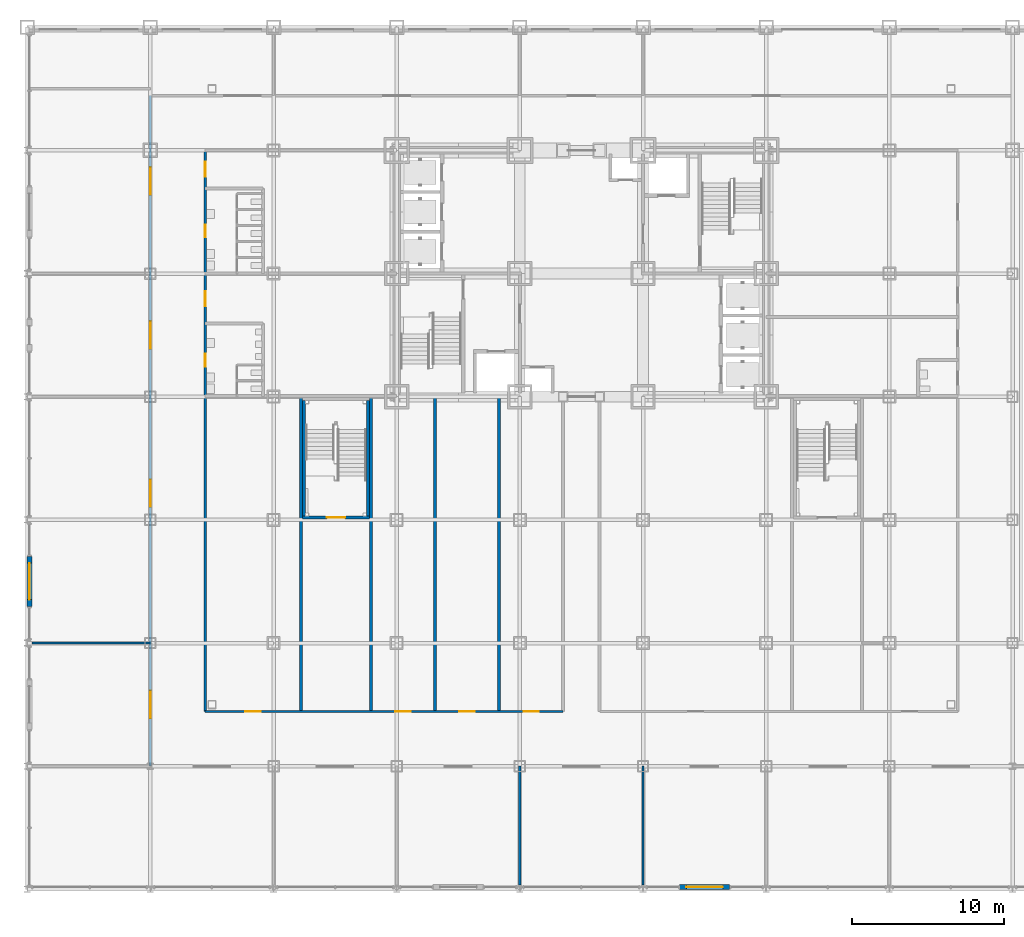
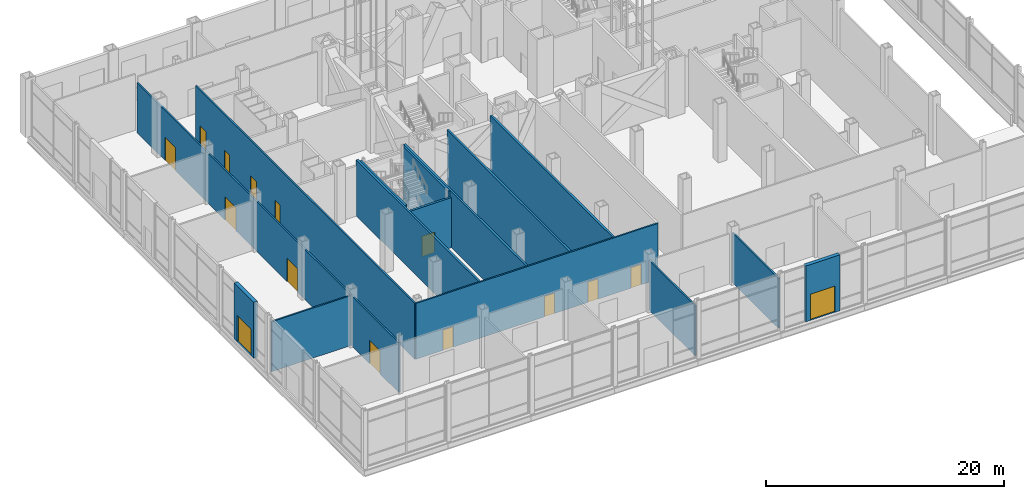
# One storey, part 22 of 35: 15 doors, 15 walls, 15 openings.
"""IFC4 building model written with IfcOpenShell, lengths in metres."""

from ifc_helpers import new_model, si_unit, direction, frame, frame_2d, origin, place, context, subcontext, project, spatial, rectangle, extrude, material, layer, layer_set, type_object, element, fill, save


model = new_model("IFC4")

# Units and contexts
model_context = context("Model", 3, precision=1e-05, world=origin(), true_north=direction((0.0, 1.0)))
body_context = subcontext(model_context, "Body", "Model", "MODEL_VIEW")
ifc_project = project(units=[si_unit("LENGTHUNIT", "METRE"), si_unit("AREAUNIT", "SQUARE_METRE"), si_unit("VOLUMEUNIT", "CUBIC_METRE"), si_unit("PLANEANGLEUNIT", "RADIAN"), si_unit("MASSUNIT", "GRAM", prefix="KILO")], contexts=[model_context])

# Site, building, storey
site_placement = place(None, origin())
site = spatial("IfcSite", under=ifc_project, at=site_placement, CompositionType="ELEMENT")
building_placement = place(site_placement, origin())
building = spatial("IfcBuilding", under=site, at=building_placement, Name="Kopane Lantern Tower", CompositionType="ELEMENT")
storey_placement = place(building_placement, origin())
storey = spatial("IfcBuildingStorey", under=building, at=storey_placement, Name="L00", CompositionType="ELEMENT", Elevation=0.0)

# Wall, openings, doors
ifc_material_1 = material(Name="Gypsum board on steel studs", Category="steel")
ifc_layer_1 = layer(ifc_material_1, 0.14990234375)
ifc_layer_set_1 = layer_set([ifc_layer_1], Name="CORRIDOR WALL 150 EI 60")
wall_type_1 = type_object("IfcWallType", Name="CORRIDOR WALL 150 EI 60", PredefinedType="PARTITIONING", material=ifc_layer_set_1)
wall_1_placement = place(storey_placement, frame((0.0, 0.0, 0.0), z_axis=(0.0, 0.0, 1.0), x_axis=(0.0, 1.0, 0.0)))
wall_1 = element("IfcWall", 1, at=wall_1_placement, inside=storey, type_object=wall_type_1, Name="Corridor Wall 150 Ei 60 L00", PredefinedType="PARTITIONING", context=body_context, shape_type="SweptSolid", body=[
    extrude(rectangle(XDim=44.10009765625, YDim=0.14990234375, at=frame_2d((22.050048828125, 0.0))), origin(), (0.0, 0.0, 1.0), 5.1376953125),
])
opening_1_placement = place(wall_1_placement, frame((3.14990234375, 0.0, 0.0)))
opening_1 = element("IfcOpeningElement", 2, at=opening_1_placement, cuts=wall_1, Name="Opening L00-023", PredefinedType="OPENING", context=body_context, shape_type="SweptSolid", body=[
    extrude(rectangle(XDim=1.800048828125, YDim=2.39990234375, at=frame_2d((0.89990234375, 1.199951171875))), frame((0.0, 0.0849609375, 0.0), z_axis=(0.0, -1.0, 0.0), x_axis=(1.0, 0.0, 0.0)), (0.0, 0.0, 1.0), 0.169921875),
])
opening_2_placement = place(wall_1_placement, frame((17.050048828125, 0.0, 0.0)))
opening_2 = element("IfcOpeningElement", 3, at=opening_2_placement, cuts=wall_1, Name="Opening L00-024", PredefinedType="OPENING", context=body_context, shape_type="SweptSolid", body=[
    extrude(rectangle(XDim=1.800048828125, YDim=2.39990234375, at=frame_2d((0.89990234375, 1.199951171875))), frame((0.0, 0.0849609375, 0.0), z_axis=(0.0, -1.0, 0.0), x_axis=(1.0, 0.0, 0.0)), (0.0, 0.0, 1.0), 0.169921875),
])
opening_3_placement = place(wall_1_placement, frame((27.449951171875, 0.0, 0.0)))
opening_3 = element("IfcOpeningElement", 4, at=opening_3_placement, cuts=wall_1, Name="Opening L00-025", PredefinedType="OPENING", context=body_context, shape_type="SweptSolid", body=[
    extrude(rectangle(XDim=1.800048828125, YDim=2.39990234375, at=frame_2d((0.89990234375, 1.199951171875))), frame((0.0, 0.0849609375, 0.0), z_axis=(0.0, -1.0, 0.0), x_axis=(1.0, 0.0, 0.0)), (0.0, 0.0, 1.0), 0.169921875),
])
opening_4_placement = place(wall_1_placement, frame((37.574951171875, 0.0, 0.0)))
opening_4 = element("IfcOpeningElement", 5, at=opening_4_placement, cuts=wall_1, Name="Opening L00-026", PredefinedType="OPENING", context=body_context, shape_type="SweptSolid", body=[
    extrude(rectangle(XDim=1.800048828125, YDim=2.39990234375, at=frame_2d((0.89990234375, 1.199951171875))), frame((0.0, 0.0849609375, 0.0), z_axis=(0.0, -1.0, 0.0), x_axis=(1.0, 0.0, 0.0)), (0.0, 0.0, 1.0), 0.169921875),
])
ifc_material_2 = material(Name="Steel door set", Category="steel")
door_type_1 = type_object("IfcDoorType", Name="DOOR D6 1800x2400 FD30S", OperationType="SINGLE_SWING_LEFT", PredefinedType="DOOR", material=ifc_material_2)
door_1_placement = place(opening_1_placement, origin())
door_1 = element("IfcDoor", 6, at=door_1_placement, inside=storey, type_object=door_type_1, Name="Door L00-023", OperationType="DOUBLE_DOOR_SINGLE_SWING", OverallHeight=2.39990234375, OverallWidth=1.800048828125, PredefinedType="DOOR", context=body_context, shape_type="SweptSolid", body=[
    extrude(rectangle(XDim=1.800048828125, YDim=2.39990234375, at=frame_2d((0.89990234375, 1.199951171875))), frame((0.0, 0.02490234375, 0.0), z_axis=(0.0, -1.0, 0.0), x_axis=(1.0, 0.0, 0.0)), (0.0, 0.0, 1.0), 0.050048828125),
])
fill(opening_1, door_1)
door_2_placement = place(opening_2_placement, origin())
door_2 = element("IfcDoor", 7, at=door_2_placement, inside=storey, type_object=door_type_1, Name="Door L00-024", OperationType="DOUBLE_DOOR_SINGLE_SWING", OverallHeight=2.39990234375, OverallWidth=1.800048828125, PredefinedType="DOOR", context=body_context, shape_type="SweptSolid", body=[
    extrude(rectangle(XDim=1.800048828125, YDim=2.39990234375, at=frame_2d((0.89990234375, 1.199951171875))), frame((0.0, 0.02490234375, 0.0), z_axis=(0.0, -1.0, 0.0), x_axis=(1.0, 0.0, 0.0)), (0.0, 0.0, 1.0), 0.050048828125),
])
fill(opening_2, door_2)
door_3_placement = place(opening_3_placement, origin())
door_3 = element("IfcDoor", 8, at=door_3_placement, inside=storey, type_object=door_type_1, Name="Door L00-025", OperationType="DOUBLE_DOOR_SINGLE_SWING", OverallHeight=2.39990234375, OverallWidth=1.800048828125, PredefinedType="DOOR", context=body_context, shape_type="SweptSolid", body=[
    extrude(rectangle(XDim=1.800048828125, YDim=2.39990234375, at=frame_2d((0.89990234375, 1.199951171875))), frame((0.0, 0.02490234375, 0.0), z_axis=(0.0, -1.0, 0.0), x_axis=(1.0, 0.0, 0.0)), (0.0, 0.0, 1.0), 0.050048828125),
])
fill(opening_3, door_3)
door_4_placement = place(opening_4_placement, origin())
door_4 = element("IfcDoor", 9, at=door_4_placement, inside=storey, type_object=door_type_1, Name="Door L00-026", OperationType="DOUBLE_DOOR_SINGLE_SWING", OverallHeight=2.39990234375, OverallWidth=1.800048828125, PredefinedType="DOOR", context=body_context, shape_type="SweptSolid", body=[
    extrude(rectangle(XDim=1.800048828125, YDim=2.39990234375, at=frame_2d((0.89990234375, 1.199951171875))), frame((0.0, 0.02490234375, 0.0), z_axis=(0.0, -1.0, 0.0), x_axis=(1.0, 0.0, 0.0)), (0.0, 0.0, 1.0), 0.050048828125),
])
fill(opening_4, door_4)

wall_2_placement = place(storey_placement, frame((3.60009765625, 40.5, 0.0), z_axis=(0.0, 0.0, 1.0), x_axis=(0.0, -1.0, 0.0)))
wall_2 = element("IfcWall", 10, at=wall_2_placement, inside=storey, type_object=wall_type_1, Name="Corridor Wall 150 Ei 60 L00", PredefinedType="PARTITIONING", context=body_context, shape_type="SweptSolid", body=[
    extrude(rectangle(XDim=36.89990234375, YDim=0.14990234375, at=frame_2d((18.449951171875, 0.0))), origin(), (0.0, 0.0, 1.0), 5.75),
])
opening_5_placement = place(wall_2_placement, frame((13.375, 0.0, 0.0)))
opening_5 = element("IfcOpeningElement", 11, at=opening_5_placement, cuts=wall_2, Name="Opening L00-001", PredefinedType="OPENING", context=body_context, shape_type="SweptSolid", body=[
    extrude(rectangle(XDim=0.85009765625, YDim=2.10009765625, at=frame_2d((0.425048828125, 1.050048828125))), frame((0.0, 0.0849609375, 0.0), z_axis=(0.0, -1.0, 0.0), x_axis=(1.0, 0.0, 0.0)), (0.0, 0.0, 1.0), 0.169921875),
])
opening_6_placement = place(wall_2_placement, frame((9.25, 0.0, 0.0)))
opening_6 = element("IfcOpeningElement", 12, at=opening_6_placement, cuts=wall_2, Name="Opening L00-002", PredefinedType="OPENING", context=body_context, shape_type="SweptSolid", body=[
    extrude(rectangle(XDim=1.0, YDim=2.10009765625, at=frame_2d((0.5, 1.050048828125))), frame((0.0, 0.0849609375, 0.0), z_axis=(0.0, -1.0, 0.0), x_axis=(1.0, 0.0, 0.0)), (0.0, 0.0, 1.0), 0.169921875),
])
opening_7_placement = place(wall_2_placement, frame((4.875, 0.0, 0.0)))
opening_7 = element("IfcOpeningElement", 13, at=opening_7_placement, cuts=wall_2, Name="Opening L00-003", PredefinedType="OPENING", context=body_context, shape_type="SweptSolid", body=[
    extrude(rectangle(XDim=0.85009765625, YDim=2.10009765625, at=frame_2d((0.425048828125, 1.050048828125))), frame((0.0, 0.0849609375, 0.0), z_axis=(0.0, -1.0, 0.0), x_axis=(1.0, 0.0, 0.0)), (0.0, 0.0, 1.0), 0.169921875),
])
opening_8_placement = place(wall_2_placement, frame((0.75, 0.0, 0.0)))
opening_8 = element("IfcOpeningElement", 14, at=opening_8_placement, cuts=wall_2, Name="Opening L00-004", PredefinedType="OPENING", context=body_context, shape_type="SweptSolid", body=[
    extrude(rectangle(XDim=1.0, YDim=2.10009765625, at=frame_2d((0.5, 1.050048828125))), frame((0.0, 0.0849609375, 0.0), z_axis=(0.0, -1.0, 0.0), x_axis=(1.0, 0.0, 0.0)), (0.0, 0.0, 1.0), 0.169921875),
])
ifc_material_3 = material(Name="Timber door set", Category="wood")
door_type_2 = type_object("IfcDoorType", Name="DOOR D4 850x2100", OperationType="SINGLE_SWING_LEFT", PredefinedType="DOOR", material=ifc_material_3)
door_5_placement = place(opening_5_placement, origin())
door_5 = element("IfcDoor", 15, at=door_5_placement, inside=storey, type_object=door_type_2, Name="Door L00-001", OperationType="SINGLE_SWING_RIGHT", OverallHeight=2.10009765625, OverallWidth=0.85009765625, PredefinedType="DOOR", context=body_context, shape_type="SweptSolid", body=[
    extrude(rectangle(XDim=0.85009765625, YDim=2.10009765625, at=frame_2d((0.425048828125, 1.050048828125))), frame((0.0, 0.02490234375, 0.0), z_axis=(0.0, -1.0, 0.0), x_axis=(1.0, 0.0, 0.0)), (0.0, 0.0, 1.0), 0.050048828125),
])
fill(opening_5, door_5)
door_6_placement = place(opening_7_placement, origin())
door_6 = element("IfcDoor", 16, at=door_6_placement, inside=storey, type_object=door_type_2, Name="Door L00-003", OperationType="SINGLE_SWING_RIGHT", OverallHeight=2.10009765625, OverallWidth=0.85009765625, PredefinedType="DOOR", context=body_context, shape_type="SweptSolid", body=[
    extrude(rectangle(XDim=0.85009765625, YDim=2.10009765625, at=frame_2d((0.425048828125, 1.050048828125))), frame((0.0, 0.02490234375, 0.0), z_axis=(0.0, -1.0, 0.0), x_axis=(1.0, 0.0, 0.0)), (0.0, 0.0, 1.0), 0.050048828125),
])
fill(opening_7, door_6)
ifc_material_4 = material(Name="Steel door set", Category="steel")
door_type_3 = type_object("IfcDoorType", Name="DOOR D5 1000x2100 FD60", OperationType="SINGLE_SWING_LEFT", PredefinedType="DOOR", material=ifc_material_4)
door_7_placement = place(opening_6_placement, origin())
door_7 = element("IfcDoor", 17, at=door_7_placement, inside=storey, type_object=door_type_3, Name="Door L00-002", OperationType="SINGLE_SWING_LEFT", OverallHeight=2.10009765625, OverallWidth=1.0, PredefinedType="DOOR", context=body_context, shape_type="SweptSolid", body=[
    extrude(rectangle(XDim=1.0, YDim=2.10009765625, at=frame_2d((0.5, 1.050048828125))), frame((0.0, 0.02490234375, 0.0), z_axis=(0.0, -1.0, 0.0), x_axis=(1.0, 0.0, 0.0)), (0.0, 0.0, 1.0), 0.050048828125),
])
fill(opening_6, door_7)
door_8_placement = place(opening_8_placement, origin())
door_8 = element("IfcDoor", 18, at=door_8_placement, inside=storey, type_object=door_type_3, Name="Door L00-004", OperationType="SINGLE_SWING_LEFT", OverallHeight=2.10009765625, OverallWidth=1.0, PredefinedType="DOOR", context=body_context, shape_type="SweptSolid", body=[
    extrude(rectangle(XDim=1.0, YDim=2.10009765625, at=frame_2d((0.5, 1.050048828125))), frame((0.0, 0.02490234375, 0.0), z_axis=(0.0, -1.0, 0.0), x_axis=(1.0, 0.0, 0.0)), (0.0, 0.0, 1.0), 0.050048828125),
])
fill(opening_8, door_8)

wall_3_placement = place(storey_placement, frame((3.60009765625, 3.60009765625, 0.0), z_axis=(0.0, 0.0, 1.0), x_axis=(1.0, 0.0, 0.0)))
wall_3 = element("IfcWall", 19, at=wall_3_placement, inside=storey, type_object=wall_type_1, Name="Corridor Wall 150 Ei 60 L00", PredefinedType="PARTITIONING", context=body_context, shape_type="SweptSolid", body=[
    extrude(rectangle(XDim=23.539794921875, YDim=0.14990234375, at=frame_2d((11.77001953125, 0.0))), origin(), (0.0, 0.0, 1.0), 5.75),
])
opening_9_placement = place(wall_3_placement, frame((2.64990234375, 0.0, 0.0)))
opening_9 = element("IfcOpeningElement", 20, at=opening_9_placement, cuts=wall_3, Name="Opening L00-009", PredefinedType="OPENING", context=body_context, shape_type="SweptSolid", body=[
    extrude(rectangle(XDim=1.0, YDim=2.10009765625, at=frame_2d((0.5, 1.050048828125))), frame((0.0, 0.0849609375, 0.0), z_axis=(0.0, -1.0, 0.0), x_axis=(1.0, 0.0, 0.0)), (0.0, 0.0, 1.0), 0.169921875),
])
opening_10_placement = place(wall_3_placement, frame((12.50830078125, 0.0, 0.0)))
opening_10 = element("IfcOpeningElement", 21, at=opening_10_placement, cuts=wall_3, Name="Opening L00-010", PredefinedType="OPENING", context=body_context, shape_type="SweptSolid", body=[
    extrude(rectangle(XDim=1.0, YDim=2.10009765625, at=frame_2d((0.5, 1.050048828125))), frame((0.0, 0.0849609375, 0.0), z_axis=(0.0, -1.0, 0.0), x_axis=(1.0, 0.0, 0.0)), (0.0, 0.0, 1.0), 0.169921875),
])
opening_11_placement = place(wall_3_placement, frame((16.72509765625, 0.0, 0.0)))
opening_11 = element("IfcOpeningElement", 22, at=opening_11_placement, cuts=wall_3, Name="Opening L00-011", PredefinedType="OPENING", context=body_context, shape_type="SweptSolid", body=[
    extrude(rectangle(XDim=1.0, YDim=2.10009765625, at=frame_2d((0.5, 1.050048828125))), frame((0.0, 0.0849609375, 0.0), z_axis=(0.0, -1.0, 0.0), x_axis=(1.0, 0.0, 0.0)), (0.0, 0.0, 1.0), 0.169921875),
])
opening_12_placement = place(wall_3_placement, frame((20.941650390625, 0.0, 0.0)))
opening_12 = element("IfcOpeningElement", 23, at=opening_12_placement, cuts=wall_3, Name="Opening L00-012", PredefinedType="OPENING", context=body_context, shape_type="SweptSolid", body=[
    extrude(rectangle(XDim=1.0, YDim=2.10009765625, at=frame_2d((0.5, 1.050048828125))), frame((0.0, 0.0849609375, 0.0), z_axis=(0.0, -1.0, 0.0), x_axis=(1.0, 0.0, 0.0)), (0.0, 0.0, 1.0), 0.169921875),
])
door_9_placement = place(opening_9_placement, origin())
door_9 = element("IfcDoor", 24, at=door_9_placement, inside=storey, type_object=door_type_3, Name="Door L00-009", OperationType="SINGLE_SWING_LEFT", OverallHeight=2.10009765625, OverallWidth=1.0, PredefinedType="DOOR", context=body_context, shape_type="SweptSolid", body=[
    extrude(rectangle(XDim=1.0, YDim=2.10009765625, at=frame_2d((0.5, 1.050048828125))), frame((0.0, 0.02490234375, 0.0), z_axis=(0.0, -1.0, 0.0), x_axis=(1.0, 0.0, 0.0)), (0.0, 0.0, 1.0), 0.050048828125),
])
fill(opening_9, door_9)
door_10_placement = place(opening_10_placement, origin())
door_10 = element("IfcDoor", 25, at=door_10_placement, inside=storey, type_object=door_type_3, Name="Door L00-010", OperationType="SINGLE_SWING_RIGHT", OverallHeight=2.10009765625, OverallWidth=1.0, PredefinedType="DOOR", context=body_context, shape_type="SweptSolid", body=[
    extrude(rectangle(XDim=1.0, YDim=2.10009765625, at=frame_2d((0.5, 1.050048828125))), frame((0.0, 0.02490234375, 0.0), z_axis=(0.0, -1.0, 0.0), x_axis=(1.0, 0.0, 0.0)), (0.0, 0.0, 1.0), 0.050048828125),
])
fill(opening_10, door_10)
door_11_placement = place(opening_11_placement, origin())
door_11 = element("IfcDoor", 26, at=door_11_placement, inside=storey, type_object=door_type_3, Name="Door L00-011", OperationType="SINGLE_SWING_LEFT", OverallHeight=2.10009765625, OverallWidth=1.0, PredefinedType="DOOR", context=body_context, shape_type="SweptSolid", body=[
    extrude(rectangle(XDim=1.0, YDim=2.10009765625, at=frame_2d((0.5, 1.050048828125))), frame((0.0, 0.02490234375, 0.0), z_axis=(0.0, -1.0, 0.0), x_axis=(1.0, 0.0, 0.0)), (0.0, 0.0, 1.0), 0.050048828125),
])
fill(opening_11, door_11)
door_12_placement = place(opening_12_placement, origin())
door_12 = element("IfcDoor", 27, at=door_12_placement, inside=storey, type_object=door_type_3, Name="Door L00-012", OperationType="SINGLE_SWING_RIGHT", OverallHeight=2.10009765625, OverallWidth=1.0, PredefinedType="DOOR", context=body_context, shape_type="SweptSolid", body=[
    extrude(rectangle(XDim=1.0, YDim=2.10009765625, at=frame_2d((0.5, 1.050048828125))), frame((0.0, 0.02490234375, 0.0), z_axis=(0.0, -1.0, 0.0), x_axis=(1.0, 0.0, 0.0)), (0.0, 0.0, 1.0), 0.050048828125),
])
fill(opening_12, door_12)

# Walls
ifc_material_5 = material(Name="Gypsum board on steel studs", Category="steel")
ifc_layer_2 = layer(ifc_material_5, 0.14990234375)
ifc_layer_set_2 = layer_set([ifc_layer_2], Name="DEMISING WALL 150 EI 60")
wall_type_2 = type_object("IfcWallType", Name="DEMISING WALL 150 EI 60", PredefinedType="PARTITIONING", material=ifc_layer_set_2)
for number, where, z_axis, x_axis, name in (
    (28, (24.300048828125, 0.0, 0.0), (0.0, 0.0, 1.0), (0.0, -1.0, 0.0), "Demising Wall 150 Ei 60 L00"),
    (29, (32.39990234375, 0.0, 0.0), (0.0, 0.0, 1.0), (0.0, -1.0, 0.0), "Demising Wall 150 Ei 60 L00"),
    (30, (0.0, 8.10009765625, 0.0), (0.0, 0.0, 1.0), (-1.0, 0.0, 0.0), "Demising Wall 150 Ei 60 L00"),
):
    element("IfcWall", number, at=place(storey_placement, frame(where, z_axis=z_axis, x_axis=x_axis)), inside=storey, type_object=wall_type_2, Name=name, PredefinedType="PARTITIONING", context=body_context, shape_type="SweptSolid", body=[
        extrude(rectangle(XDim=7.800048828125, YDim=0.14990234375, at=frame_2d((3.89990234375, 0.0))), origin(), (0.0, 0.0, 1.0), 5.1376953125),
    ])

# Wall, opening, door
ifc_material_6 = material(Name="Terracotta rainscreen on light steel framing", Category="masonry")
ifc_layer_3 = layer(ifc_material_6, 0.35009765625)
ifc_layer_set_3 = layer_set([ifc_layer_3], Name="ENTRANCE PIER WALL EW2 300 TERRACOTTA")
wall_type_3 = type_object("IfcWallType", Name="ENTRANCE PIER WALL EW2 300 TERRACOTTA", PredefinedType="SOLIDWALL", material=ifc_layer_set_3)
wall_4_placement = place(storey_placement, frame((34.800048828125, -7.949951171875, 0.0), z_axis=(0.0, 0.0, 1.0), x_axis=(1.0, 0.0, 0.0)))
wall_4 = element("IfcWall", 31, at=wall_4_placement, inside=storey, type_object=wall_type_3, Name="Entrance wall S L00", PredefinedType="SOLIDWALL", context=body_context, shape_type="SweptSolid", body=[
    extrude(rectangle(XDim=3.300048828125, YDim=0.35009765625, at=frame_2d((1.64990234375, 0.0))), origin(), (0.0, 0.0, 1.0), 5.75),
])
opening_13_placement = place(wall_4_placement, frame((0.449951171875, 0.0, 0.0)))
opening_13 = element("IfcOpeningElement", 32, at=opening_13_placement, cuts=wall_4, Name="Opening L00-E02", PredefinedType="OPENING", context=body_context, shape_type="SweptSolid", body=[
    extrude(rectangle(XDim=2.39990234375, YDim=2.699951171875, at=frame_2d((1.199951171875, 1.35009765625))), frame((0.0, 0.18505859375, 0.0), z_axis=(0.0, -1.0, 0.0), x_axis=(1.0, 0.0, 0.0)), (0.0, 0.0, 1.0), 0.3701171875),
])
ifc_material_7 = material(Name="Aluminium and clear glass door set", Category="aluminium")
door_type_4 = type_object("IfcDoorType", Name="ENTRANCE DOOR ED2427 2400x2700", OperationType="DOUBLE_DOOR_SINGLE_SWING", PredefinedType="DOOR", material=ifc_material_7)
door_13_placement = place(opening_13_placement, origin())
door_13 = element("IfcDoor", 33, at=door_13_placement, inside=storey, type_object=door_type_4, Name="Door L00-E02", OperationType="DOUBLE_DOOR_SINGLE_SWING", OverallHeight=2.699951171875, OverallWidth=2.39990234375, PredefinedType="DOOR", context=body_context, shape_type="SweptSolid", body=[
    extrude(rectangle(XDim=2.39990234375, YDim=2.699951171875, at=frame_2d((1.199951171875, 1.35009765625))), frame((0.0, 0.02490234375, 0.0), z_axis=(0.0, -1.0, 0.0), x_axis=(1.0, 0.0, 0.0)), (0.0, 0.0, 1.0), 0.050048828125),
])
fill(opening_13, door_13)

wall_5_placement = place(storey_placement, frame((-7.949951171875, 13.800048828125, 0.0), z_axis=(0.0, 0.0, 1.0), x_axis=(0.0, -1.0, 0.0)))
wall_5 = element("IfcWall", 34, at=wall_5_placement, inside=storey, type_object=wall_type_3, Name="Entrance wall W L00", PredefinedType="SOLIDWALL", context=body_context, shape_type="SweptSolid", body=[
    extrude(rectangle(XDim=3.300048828125, YDim=0.35009765625, at=frame_2d((1.64990234375, 0.0))), origin(), (0.0, 0.0, 1.0), 5.75),
])
opening_14_placement = place(wall_5_placement, frame((0.449951171875, 0.0, 0.0)))
opening_14 = element("IfcOpeningElement", 35, at=opening_14_placement, cuts=wall_5, Name="Opening L00-E04", PredefinedType="OPENING", context=body_context, shape_type="SweptSolid", body=[
    extrude(rectangle(XDim=2.39990234375, YDim=2.699951171875, at=frame_2d((1.199951171875, 1.35009765625))), frame((0.0, 0.18505859375, 0.0), z_axis=(0.0, -1.0, 0.0), x_axis=(1.0, 0.0, 0.0)), (0.0, 0.0, 1.0), 0.3701171875),
])
door_14_placement = place(opening_14_placement, origin())
door_14 = element("IfcDoor", 36, at=door_14_placement, inside=storey, type_object=door_type_4, Name="Door L00-E04", OperationType="DOUBLE_DOOR_SINGLE_SWING", OverallHeight=2.699951171875, OverallWidth=2.39990234375, PredefinedType="DOOR", context=body_context, shape_type="SweptSolid", body=[
    extrude(rectangle(XDim=2.39990234375, YDim=2.699951171875, at=frame_2d((1.199951171875, 1.35009765625))), frame((0.0, 0.02490234375, 0.0), z_axis=(0.0, -1.0, 0.0), x_axis=(1.0, 0.0, 0.0)), (0.0, 0.0, 1.0), 0.050048828125),
])
fill(opening_14, door_14)

# Walls
ifc_material_8 = material(Name="Concrete masonry", Category="masonry")
ifc_layer_4 = layer(ifc_material_8, 0.199951171875)
ifc_layer_set_4 = layer_set([ifc_layer_4], Name="PLANT ROOM WALL 200 EI 120")
wall_type_4 = type_object("IfcWallType", Name="PLANT ROOM WALL 200 EI 120", PredefinedType="SOLIDWALL", material=ifc_layer_set_4)
for number, where, z_axis, x_axis, name in (
    (37, (9.89990234375, 3.60009765625, 0.0), (0.0, 0.0, 1.0), (0.0, 1.0, 0.0), "Plant Room Wall 200 Ei 120 L00"),
    (38, (14.5, 3.60009765625, 0.0), (0.0, 0.0, 1.0), (0.0, 1.0, 0.0), "Plant Room Wall 200 Ei 120 L00"),
    (39, (18.716796875, 3.60009765625, 0.0), (0.0, 0.0, 1.0), (0.0, 1.0, 0.0), "Plant Room Wall 200 Ei 120 L00"),
    (40, (22.933349609375, 3.60009765625, 0.0), (0.0, 0.0, 1.0), (0.0, 1.0, 0.0), "Plant Room Wall 200 Ei 120 L00"),
):
    element("IfcWall", number, at=place(storey_placement, frame(where, z_axis=z_axis, x_axis=x_axis)), inside=storey, type_object=wall_type_4, Name=name, PredefinedType="SOLIDWALL", context=body_context, shape_type="SweptSolid", body=[
        extrude(rectangle(XDim=20.699951171875, YDim=0.199951171875, at=frame_2d((10.35009765625, 0.0))), origin(), (0.0, 0.0, 1.0), 5.75),
    ])

# Wall, opening, door
ifc_material_9 = material(Name="Gypsum shaft wall EI 120", Category="gypsum")
ifc_layer_5 = layer(ifc_material_9, 0.199951171875)
ifc_layer_set_5 = layer_set([ifc_layer_5], Name="SHAFT WALL 200 EI 120")
wall_type_5 = type_object("IfcWallType", Name="SHAFT WALL 200 EI 120", PredefinedType="SOLIDWALL", material=ifc_layer_set_5)
wall_6_placement = place(storey_placement, frame((10.0, 16.35009765625, 0.0), z_axis=(0.0, 0.0, 1.0), x_axis=(1.0, 0.0, 0.0)))
wall_6 = element("IfcWall", 41, at=wall_6_placement, inside=storey, type_object=wall_type_5, Name="Stair enclosure wall ST3 L00", PredefinedType="SOLIDWALL", context=body_context, shape_type="SweptSolid", body=[
    extrude(rectangle(XDim=4.39990234375, YDim=0.199951171875, at=frame_2d((2.199951171875, 0.0))), origin(), (0.0, 0.0, 1.0), 5.1376953125),
])
opening_15_placement = place(wall_6_placement, frame((1.60009765625, 0.0, 0.0)))
opening_15 = element("IfcOpeningElement", 42, at=opening_15_placement, cuts=wall_6, Name="Opening 00.SD3", PredefinedType="OPENING", context=body_context, shape_type="SweptSolid", body=[
    extrude(rectangle(XDim=1.199951171875, YDim=2.10009765625, at=frame_2d((0.60009765625, 1.050048828125))), frame((0.0, 0.10986328125, 0.0), z_axis=(0.0, -1.0, 0.0), x_axis=(1.0, 0.0, 0.0)), (0.0, 0.0, 1.0), 0.219970703125),
])
ifc_material_10 = material(Name="Steel door set", Category="steel")
door_type_5 = type_object("IfcDoorType", Name="STAIR DOOR 1200x2100 FD60S", OperationType="SINGLE_SWING_LEFT", PredefinedType="DOOR", material=ifc_material_10)
door_15_placement = place(opening_15_placement, origin())
door_15 = element("IfcDoor", 43, at=door_15_placement, inside=storey, type_object=door_type_5, Name="Stair door ST3 L00", OperationType="SINGLE_SWING_LEFT", OverallHeight=2.10009765625, OverallWidth=1.199951171875, PredefinedType="DOOR", context=body_context, shape_type="SweptSolid", body=[
    extrude(rectangle(XDim=1.199951171875, YDim=2.10009765625, at=frame_2d((0.60009765625, 1.050048828125))), frame((0.0, 0.02490234375, 0.0), z_axis=(0.0, -1.0, 0.0), x_axis=(1.0, 0.0, 0.0)), (0.0, 0.0, 1.0), 0.050048828125),
])
fill(opening_15, door_15)

# Walls
for number, where, z_axis, x_axis, name in (
    (44, (10.10009765625, 16.449951171875, 0.0), (0.0, 0.0, 1.0), (0.0, 1.0, 0.0), "Stair enclosure wall ST3 L00"),
    (45, (14.300048828125, 16.449951171875, 0.0), (0.0, 0.0, 1.0), (0.0, 1.0, 0.0), "Stair enclosure wall ST3 L00"),
):
    element("IfcWall", number, at=place(storey_placement, frame(where, z_axis=z_axis, x_axis=x_axis)), inside=storey, type_object=wall_type_5, Name=name, PredefinedType="SOLIDWALL", context=body_context, shape_type="SweptSolid", body=[
        extrude(rectangle(XDim=7.60009765625, YDim=0.199951171875, at=frame_2d((3.800048828125, 0.0))), origin(), (0.0, 0.0, 1.0), 5.75),
    ])

save(model, "model.ifc")
